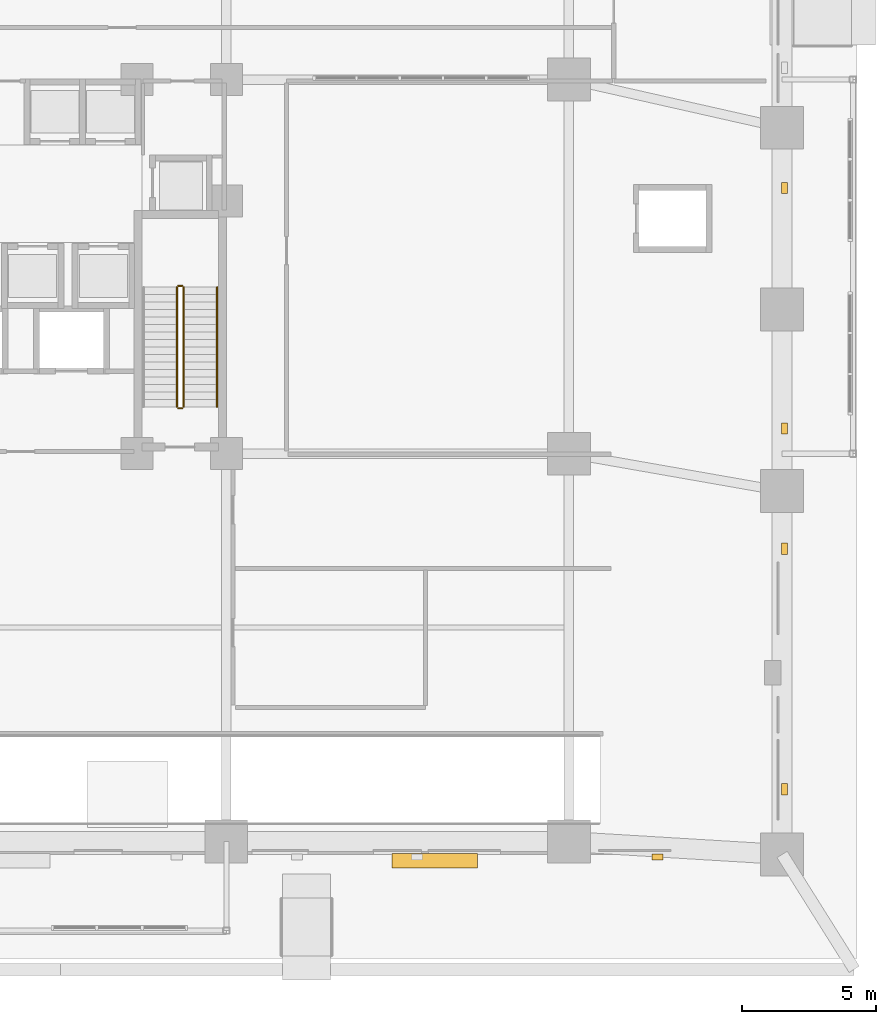
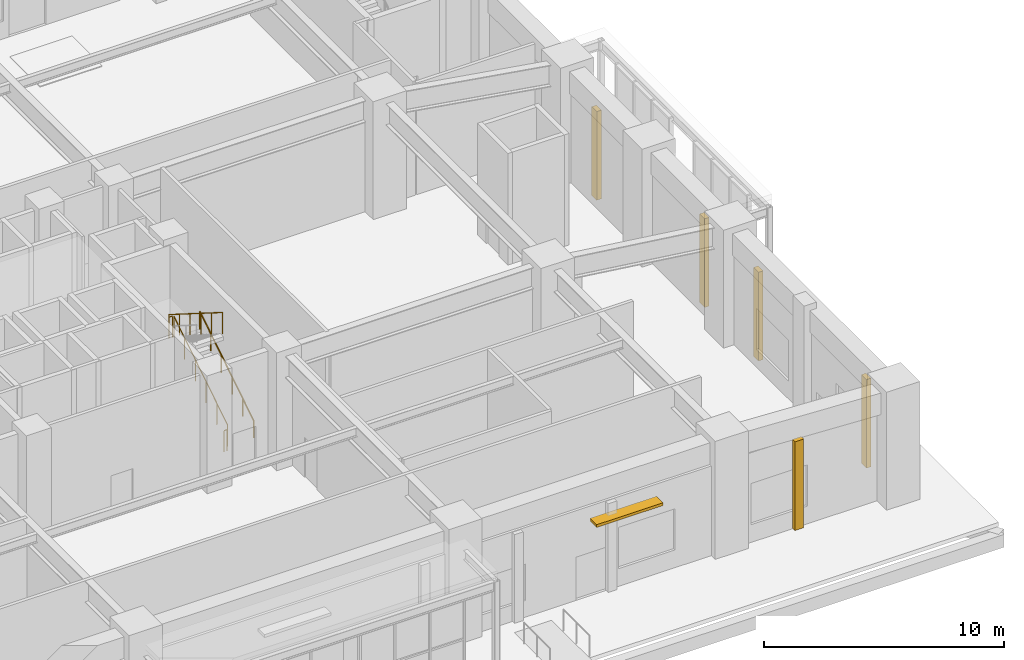
# One storey, part 21 of 24: 5 coverings, 5 railings, 1 shading device.
"""IFC4 building model written with IfcOpenShell, lengths in metres."""

from ifc_helpers import new_model, si_unit, derived_unit, direction, frame, origin, origin_2d, place, context, subcontext, project, spatial, rectangle, circle, extrude, material, layer, layer_set, type_object, element, save


model = new_model("IFC4")

# Units and contexts
model_context = context("Model", 3, precision=1e-05, world=origin(), true_north=direction((0.0, 1.0)))
body_context = subcontext(model_context, "Body", "Model", "MODEL_VIEW")
ifc_project = project(units=[si_unit("LENGTHUNIT", "METRE"), si_unit("AREAUNIT", "SQUARE_METRE"), si_unit("VOLUMEUNIT", "CUBIC_METRE"), si_unit("PLANEANGLEUNIT", "RADIAN"), si_unit("MASSUNIT", "GRAM", prefix="KILO"), derived_unit("THERMALTRANSMITTANCEUNIT", [(si_unit("MASSUNIT", "GRAM", prefix="KILO"), 1), (si_unit("TIMEUNIT", "SECOND"), -3), (si_unit("THERMODYNAMICTEMPERATUREUNIT", "KELVIN"), -1)])], contexts=[model_context])

# Site, building, storey
site_placement = place(None, origin())
site = spatial("IfcSite", under=ifc_project, at=site_placement, CompositionType="ELEMENT")
building_placement = place(site_placement, origin())
building = spatial("IfcBuilding", under=site, at=building_placement, Name="Korrvale Station Residences", CompositionType="ELEMENT")
storey_placement = place(building_placement, origin())
storey = spatial("IfcBuildingStorey", under=building, at=storey_placement, Name="L00", CompositionType="ELEMENT", Elevation=0.0)

# Coverings
ifc_material_1 = material(Name="Architectural precast concrete C45/55", Category="concrete")
ifc_layer = layer(ifc_material_1, 0.219970703125, Name="Architectural precast concrete C45/55")
ifc_layer_set = layer_set([ifc_layer], Name="Architectural precast concrete C45/55")
covering_type = type_object("IfcCoveringType", Name="COV-PIER-400", PredefinedType="CLADDING", material=ifc_layer_set)
for number, where, z_axis, x_axis, name in (
    (1, (49.340087890625, -0.090087890625, 0.02490234375), (0.0, 0.0, 1.0), (1.0, 0.0, 0.0), "L00 Architectural Precast Facade Pier 01"),
    (2, (54.090087890625, 24.93994140625, 0.02490234375), (0.0, 0.0, 1.0), (0.0, 1.0, 0.0), "L00 Architectural Precast Facade Pier 22"),
    (3, (54.090087890625, 15.93994140625, 0.02490234375), (0.0, 0.0, 1.0), (0.0, 1.0, 0.0), "L00 Architectural Precast Facade Pier 23"),
    (4, (54.090087890625, 11.43994140625, 0.02490234375), (0.0, 0.0, 1.0), (0.0, 1.0, 0.0), "L00 Architectural Precast Facade Pier 24"),
    (5, (54.090087890625, 2.43994140625, 0.02490234375), (0.0, 0.0, 1.0), (0.0, 1.0, 0.0), "L00 Architectural Precast Facade Pier 25"),
):
    element("IfcCovering", number, at=place(storey_placement, frame(where, z_axis=z_axis, x_axis=x_axis)), inside=storey, type_object=covering_type, Name=name, PredefinedType="CLADDING", context=body_context, shape_type="SweptSolid", body=[
        extrude(rectangle(XDim=0.419921875, YDim=0.219970703125, at=origin_2d()), origin(), (0.0, 0.0, 1.0), 4.514892578125),
    ])

# Railings
ifc_material_2 = material(Name="Brushed stainless-steel continuous stair handrail", Category="steel")
railing_type_1 = type_object("IfcRailingType", Name="RLG-SHND-900", PredefinedType="HANDRAIL", material=ifc_material_2)
railing_1_placement = place(storey_placement, frame((32.85009765625, 16.75, 0.176513671875)))
element("IfcRailing", 6, at=railing_1_placement, inside=storey, type_object=railing_type_1, Name="L00 ST-2 stair handrail 1", PredefinedType="HANDRAIL", context=body_context, shape_type="SweptSolid", body=[
    extrude(circle(Radius=0.02392578125, at=origin_2d()), frame((0.0, 0.0, 0.8759765625), z_axis=(0.0, 0.845997938375, 0.533186166611), x_axis=(-1.0, 0.0, 0.0)), (0.0, 0.0, 1.0), 5.29541015625),
    extrude(circle(Radius=0.02099609375, at=origin_2d()), origin(), (0.0, 0.0, 1.0), 0.851806640625),
    extrude(circle(Radius=0.02099609375, at=origin_2d()), frame((0.0, 0.89599609375, 0.564697265625)), (0.0, 0.0, 1.0), 0.851806640625),
    extrude(circle(Radius=0.02099609375, at=origin_2d()), frame((0.0, 1.7919921875, 1.12939453125)), (0.0, 0.0, 1.0), 0.851806640625),
    extrude(circle(Radius=0.02099609375, at=origin_2d()), frame((0.0, 2.68798828125, 1.694091796875)), (0.0, 0.0, 1.0), 0.851806640625),
    extrude(circle(Radius=0.02099609375, at=origin_2d()), frame((0.0, 3.583984375, 2.2587890625)), (0.0, 0.0, 1.0), 0.851806640625),
    extrude(circle(Radius=0.02099609375, at=origin_2d()), frame((0.0, 4.47998046875, 2.823486328125)), (0.0, 0.0, 1.0), 0.851806640625),
])
ifc_material_3 = material(Name="Galvanised painted tubular steel stair guard", Category="steel")
railing_type_2 = type_object("IfcRailingType", Name="RLG-STR-1100", PredefinedType="GUARDRAIL", material=ifc_material_3)
railing_2_placement = place(storey_placement, frame((31.60009765625, 16.75, 0.176513671875)))
element("IfcRailing", 7, at=railing_2_placement, inside=storey, type_object=railing_type_2, Name="L00 ST-2 stair guard 1", PredefinedType="GUARDRAIL", context=body_context, shape_type="SweptSolid", body=[
    extrude(circle(Radius=0.02392578125, at=origin_2d()), frame((0.0, 0.0, 1.076171875), z_axis=(0.0, 0.845997938375, 0.533186166611), x_axis=(-1.0, 0.0, 0.0)), (0.0, 0.0, 1.0), 5.29541015625),
    extrude(circle(Radius=0.02099609375, at=origin_2d()), origin(), (0.0, 0.0, 1.0), 1.052001953125),
    extrude(circle(Radius=0.02099609375, at=origin_2d()), frame((0.0, 0.89599609375, 0.564697265625)), (0.0, 0.0, 1.0), 1.052001953125),
    extrude(circle(Radius=0.02099609375, at=origin_2d()), frame((0.0, 1.7919921875, 1.12939453125)), (0.0, 0.0, 1.0), 1.052001953125),
    extrude(circle(Radius=0.02099609375, at=origin_2d()), frame((0.0, 2.68798828125, 1.694091796875)), (0.0, 0.0, 1.0), 1.052001953125),
    extrude(circle(Radius=0.02099609375, at=origin_2d()), frame((0.0, 3.583984375, 2.2587890625)), (0.0, 0.0, 1.0), 1.052001953125),
    extrude(circle(Radius=0.02099609375, at=origin_2d()), frame((0.0, 4.47998046875, 2.823486328125)), (0.0, 0.0, 1.0), 1.052001953125),
])
railing_3_placement = place(storey_placement, frame((31.550048828125, 21.280029296875, 3.0)))
element("IfcRailing", 8, at=railing_3_placement, inside=storey, type_object=railing_type_2, Name="L00 ST-2 stair guard 2", PredefinedType="GUARDRAIL", context=body_context, shape_type="SweptSolid", body=[
    extrude(circle(Radius=0.02392578125, at=origin_2d()), frame((0.0, 0.0, 1.076171875), z_axis=(-1.0, 0.0, 0.0), x_axis=(0.0, -1.0, 0.0)), (0.0, 0.0, 1.0), 0.150146484375),
    extrude(circle(Radius=0.02099609375, at=origin_2d()), origin(), (0.0, 0.0, 1.0), 1.052001953125),
    extrude(circle(Radius=0.02099609375, at=origin_2d()), frame((-0.150146484375, 0.0, 0.0)), (0.0, 0.0, 1.0), 1.052001953125),
])
railing_4_placement = place(storey_placement, frame((31.35009765625, 21.22998046875, 3.176513671875)))
element("IfcRailing", 9, at=railing_4_placement, inside=storey, type_object=railing_type_2, Name="L00 ST-2 stair guard 3", PredefinedType="GUARDRAIL", context=body_context, shape_type="SweptSolid", body=[
    extrude(circle(Radius=0.02392578125, at=origin_2d()), frame((0.0, 0.0, 1.076171875), z_axis=(0.0, -0.845997938375, 0.533186166611), x_axis=(1.0, 0.0, 0.0)), (0.0, 0.0, 1.0), 5.29541015625),
    extrude(circle(Radius=0.02099609375, at=origin_2d()), origin(), (0.0, 0.0, 1.0), 1.052001953125),
    extrude(circle(Radius=0.02099609375, at=origin_2d()), frame((0.0, -0.89599609375, 0.564697265625)), (0.0, 0.0, 1.0), 1.052001953125),
    extrude(circle(Radius=0.02099609375, at=origin_2d()), frame((0.0, -1.7919921875, 1.12939453125)), (0.0, 0.0, 1.0), 1.052001953125),
    extrude(circle(Radius=0.02099609375, at=origin_2d()), frame((0.0, -2.68798828125, 1.694091796875)), (0.0, 0.0, 1.0), 1.052001953125),
    extrude(circle(Radius=0.02099609375, at=origin_2d()), frame((0.0, -3.583984375, 2.2587890625)), (0.0, 0.0, 1.0), 1.052001953125),
    extrude(circle(Radius=0.02099609375, at=origin_2d()), frame((0.0, -4.47998046875, 2.823486328125)), (0.0, 0.0, 1.0), 1.052001953125),
])
railing_5_placement = place(storey_placement, frame((31.550048828125, 16.699951171875, 0.0)))
element("IfcRailing", 10, at=railing_5_placement, inside=storey, type_object=railing_type_2, Name="L00 ST-2 stair guard 4", PredefinedType="GUARDRAIL", context=body_context, shape_type="SweptSolid", body=[
    extrude(circle(Radius=0.02392578125, at=origin_2d()), frame((0.0, 0.0, 1.076171875), z_axis=(-1.0, 0.0, 0.0), x_axis=(0.0, -1.0, 0.0)), (0.0, 0.0, 1.0), 0.150146484375),
    extrude(circle(Radius=0.02099609375, at=origin_2d()), origin(), (0.0, 0.0, 1.0), 1.052001953125),
    extrude(circle(Radius=0.02099609375, at=origin_2d()), frame((-0.150146484375, 0.0, 0.0)), (0.0, 0.0, 1.0), 1.052001953125),
])

# Shading device
ifc_material_4 = material(Name="Anodised aluminium sunshade blade", Category="aluminium")
shading_device_type = type_object("IfcShadingDeviceType", Name="SHD-SUN-POD", PredefinedType="JALOUSIE", material=ifc_material_4)
shading_device_placement = place(storey_placement, frame((41.0, -0.239990234375, 3.7802734375), z_axis=(0.0, 0.0, 1.0), x_axis=(1.0, 0.0, 0.0)))
element("IfcShadingDevice", 11, at=shading_device_placement, inside=storey, type_object=shading_device_type, Name="Podium Street Sunshade Blade 3", PredefinedType="JALOUSIE", context=body_context, shape_type="SweptSolid", body=[
    extrude(rectangle(XDim=3.199951171875, YDim=0.550048828125, at=origin_2d()), origin(), (0.0, 0.0, 1.0), 0.139892578125),
])

save(model, "model.ifc")
